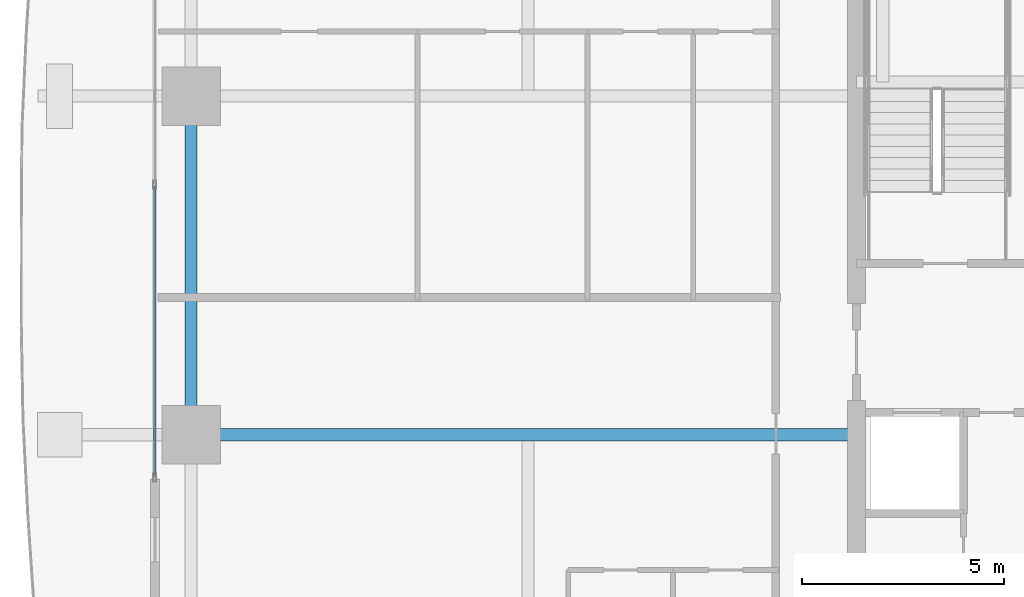
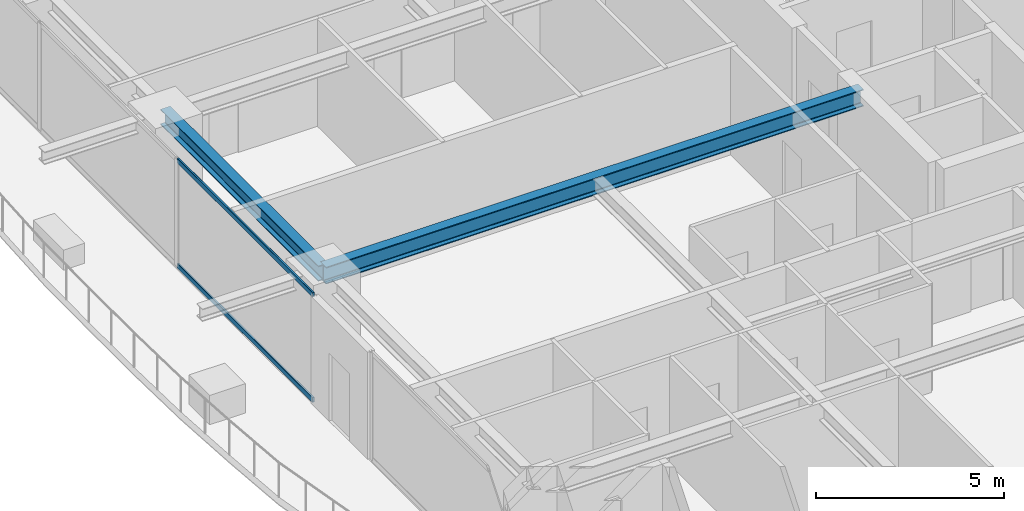
# One storey, part 7 of 36: 2 beams, 2 members, 1 element without a shape of its own.
"""IFC4 building model written with IfcOpenShell, lengths in metres."""

from ifc_helpers import new_model, si_unit, direction, frame, origin, origin_2d, place, context, subcontext, project, spatial, hollow_rectangle, i_section, extrude, source, transform, mapped, material, layer, layer_set, material_profile, profile_set, type_object, element, aggregate, save


model = new_model("IFC4")

# Units and contexts
model_context = context("Model", 3, precision=1e-05, world=origin(), true_north=direction((0.0, 1.0)))
body_context = subcontext(model_context, "Body", "Model", "MODEL_VIEW")
ifc_project = project(units=[si_unit("LENGTHUNIT", "METRE"), si_unit("AREAUNIT", "SQUARE_METRE"), si_unit("VOLUMEUNIT", "CUBIC_METRE"), si_unit("PLANEANGLEUNIT", "RADIAN"), si_unit("MASSUNIT", "GRAM", prefix="KILO")], contexts=[model_context])

# Site, building, storey
site_placement = place(None, origin())
site = spatial("IfcSite", under=ifc_project, at=site_placement, CompositionType="ELEMENT")
building_placement = place(site_placement, origin())
building = spatial("IfcBuilding", under=site, at=building_placement, Name="Serunith Strait Residences", CompositionType="ELEMENT")
storey_placement = place(building_placement, frame((0.0, 0.0, 86.699951171875)))
storey = spatial("IfcBuildingStorey", under=building, at=storey_placement, Name="L21", CompositionType="ELEMENT", Elevation=86.699951171875)

# Beams
ifc_material_1 = material(Name="Steel S355J2", Category="steel")
ifc_material_profile_1 = material_profile(ifc_material_1, i_section(OverallWidth=0.300048828125, OverallDepth=0.550048828125, WebThickness=0.014892578125, FlangeThickness=0.029052734375, FilletRadius=0.027099609375, at=origin_2d()), Name="HEB 550")
ifc_profile_set_1 = profile_set([ifc_material_profile_1], Name="Steel S355J2")
beam_type_1 = type_object("IfcBeamType", Name="BM-HEB550", PredefinedType="BEAM", material=ifc_profile_set_1)
shared_shape_1 = source(origin(), body_context, "Body", "SweptSolid", [
    extrude(i_section(OverallWidth=0.300048828125, OverallDepth=0.550048828125, WebThickness=0.014892578125, FlangeThickness=0.029052734375, FilletRadius=0.027099609375, at=origin_2d()), origin(), (0.0, 0.0, 1.0), 16.5),
])
beam_1_placement = place(storey_placement, frame((23.39990234375, 21.0, 3.212158203125), z_axis=(-1.0, 0.0, 0.0), x_axis=(0.0, -1.0, 0.0)))
element("IfcBeam", 1, at=beam_1_placement, inside=storey, type_object=beam_type_1, Name="L21 Primary Floor Girder TC-W2", PredefinedType="BEAM", context=body_context, shape_type="MappedRepresentation", body=[
    mapped(shared_shape_1, transform((0.0, 0.0, 0.0), scale=1.0)),
])
ifc_material_profile_2 = material_profile(ifc_material_1, i_section(OverallWidth=0.300048828125, OverallDepth=0.5, WebThickness=0.014404296875, FlangeThickness=0.028076171875, FilletRadius=0.027099609375, at=origin_2d()), Name="HEB 500")
ifc_profile_set_2 = profile_set([ifc_material_profile_2], Name="Steel S355J2")
beam_type_2 = type_object("IfcBeamType", Name="BM-HEB500", PredefinedType="BEAM", material=ifc_profile_set_2)
shared_shape_2 = source(origin(), body_context, "Body", "SweptSolid", [
    extrude(i_section(OverallWidth=0.300048828125, OverallDepth=0.5, WebThickness=0.014404296875, FlangeThickness=0.028076171875, FilletRadius=0.027099609375, at=origin_2d()), origin(), (0.0, 0.0, 1.0), 8.39990234375),
])
beam_2_placement = place(storey_placement, frame((6.89990234375, 29.39990234375, 3.237060546875), z_axis=(0.0, -1.0, 0.0), x_axis=(1.0, 0.0, 0.0)))
element("IfcBeam", 2, at=beam_2_placement, inside=storey, type_object=beam_type_2, Name="L21 Perimeter Ring Beam 14", PredefinedType="BEAM", context=body_context, shape_type="MappedRepresentation", body=[
    mapped(shared_shape_2, transform((0.0, 0.0, 0.0), scale=1.0)),
])

# Curtain wall, members
ifc_material_2 = material(Name="Pale-Champagne Anodised Aluminium", Category="aluminium")
ifc_layer = layer(ifc_material_2, 0.199951171875, Name="Pale-Champagne Anodised Aluminium")
ifc_layer_set = layer_set([ifc_layer], Name="Pale-Champagne Anodised Aluminium")
curtain_wall_type = type_object("IfcCurtainWallType", Name="CW-SYS1", PredefinedType="NOTDEFINED", material=ifc_layer_set)
curtain_wall_placement = place(storey_placement, origin())
curtain_wall = element("IfcCurtainWall", 3, at=curtain_wall_placement, inside=storey, type_object=curtain_wall_type, Name="L21 W Unitised Fritted Curtain Wall", PredefinedType="NOTDEFINED")
ifc_material_profile_3 = material_profile(ifc_material_2, hollow_rectangle(XDim=0.06005859375, YDim=0.159912109375, WallThickness=0.00341796875, InnerFilletRadius=0.00537109375, OuterFilletRadius=0.0087890625, at=origin_2d()), Name="ALU 160x60x3.5")
ifc_profile_set_3 = profile_set([ifc_material_profile_3], Name="Pale-Champagne Anodised Aluminium")
member_type = type_object("IfcMemberType", Name="CW-SYS1-TRAN", PredefinedType="USERDEFINED", material=ifc_profile_set_3)
shared_shape_3 = source(origin(), body_context, "Body", "SweptSolid", [
    extrude(hollow_rectangle(XDim=0.06005859375, YDim=0.159912109375, WallThickness=0.00341796875, InnerFilletRadius=0.00537109375, OuterFilletRadius=0.0087890625, at=origin_2d()), origin(), (0.0, 0.0, 1.0), 7.195068359375),
])
member_1_placement = place(storey_placement, frame((6.0, 27.1650390625, 0.030029296875), z_axis=(0.0, -1.0, 0.0), x_axis=(1.0, 0.0, 0.0)))
member_1 = element("IfcMember", 4, at=member_1_placement, type_object=member_type, Name="CW-1 transom 3.1", ObjectType="TRANSOM", PredefinedType="USERDEFINED", context=body_context, shape_type="MappedRepresentation", body=[
    mapped(shared_shape_3, transform((0.0, 0.0, 0.0), scale=1.0)),
])
member_2_placement = place(storey_placement, frame((6.0, 27.1650390625, 3.445068359375), z_axis=(0.0, -1.0, 0.0), x_axis=(1.0, 0.0, 0.0)))
member_2 = element("IfcMember", 5, at=member_2_placement, type_object=member_type, Name="CW-1 transom 3.2", ObjectType="TRANSOM", PredefinedType="USERDEFINED", context=body_context, shape_type="MappedRepresentation", body=[
    mapped(shared_shape_3, transform((0.0, 0.0, 0.0), scale=1.0)),
])
aggregate(curtain_wall, [member_1, member_2])

save(model, "model.ifc")
